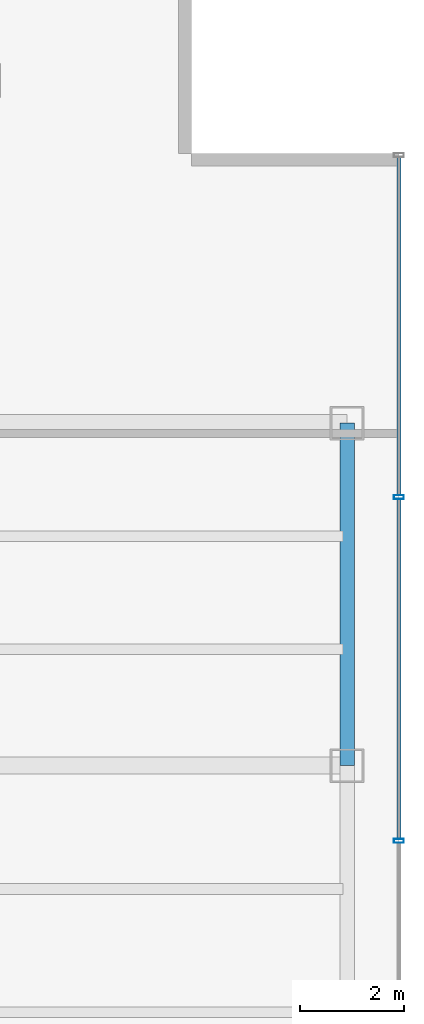
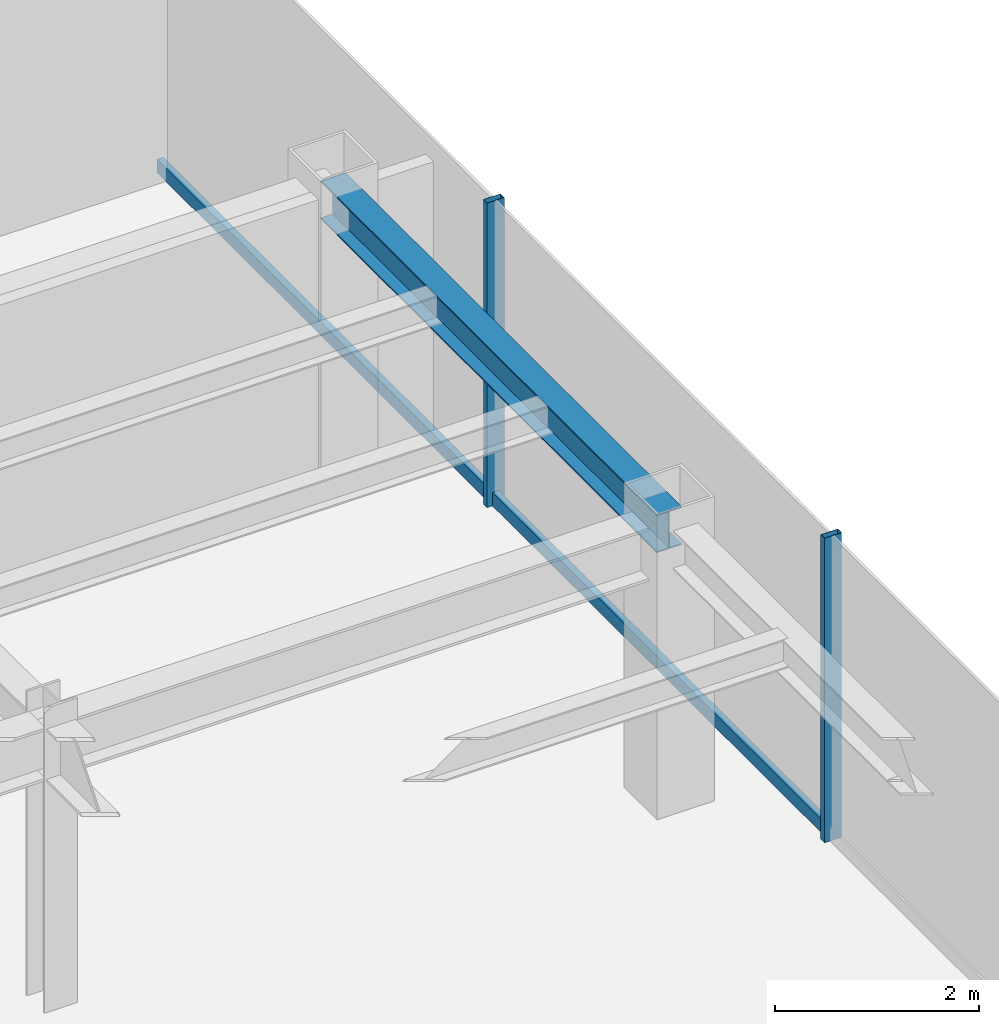
# One storey, part 13 of 25: 4 members, 1 beam, 1 element without a shape of its own.
"""IFC4 building model written with IfcOpenShell, lengths in metres."""

from ifc_helpers import new_model, si_unit, derived_unit, direction, frame, origin, origin_2d, place, context, subcontext, project, spatial, hollow_rectangle, i_section, extrude, source, transform, mapped, material, material_profile, profile_set, type_object, element, aggregate, save


model = new_model("IFC4")

# Units and contexts
model_context = context("Model", 3, precision=1e-05, world=origin(), true_north=direction((0.0, 1.0)))
body_context = subcontext(model_context, "Body", "Model", "MODEL_VIEW")
ifc_project = project(units=[si_unit("LENGTHUNIT", "METRE"), si_unit("AREAUNIT", "SQUARE_METRE"), si_unit("VOLUMEUNIT", "CUBIC_METRE"), si_unit("PLANEANGLEUNIT", "RADIAN"), si_unit("MASSUNIT", "GRAM", prefix="KILO"), derived_unit("THERMALTRANSMITTANCEUNIT", [(si_unit("POWERUNIT", "WATT"), 1), (si_unit("LENGTHUNIT", "METRE"), -2), (si_unit("THERMODYNAMICTEMPERATUREUNIT", "KELVIN"), -1)])], contexts=[model_context])

# Site, building, storey
site_placement = place(None, origin())
site = spatial("IfcSite", under=ifc_project, at=site_placement, CompositionType="ELEMENT")
building_placement = place(site_placement, origin())
building = spatial("IfcBuilding", under=site, at=building_placement, Name="Skarnbrae Concourse Arena and Tower", CompositionType="ELEMENT")
storey_placement = place(building_placement, frame((0.0, 0.0, 173.449951171875)))
storey = spatial("IfcBuildingStorey", under=building, at=storey_placement, Name="L44", CompositionType="ELEMENT", Elevation=173.449951171875)

# Beam
ifc_material_1 = material(Name="Steel CSA G40.21 350W", Category="steel")
ifc_material_profile_1 = material_profile(ifc_material_1, i_section(OverallWidth=0.280029296875, OverallDepth=0.462890625, WebThickness=0.0107421875, FlangeThickness=0.017333984375, at=origin_2d()), Name="W460X113")
ifc_profile_set_1 = profile_set([ifc_material_profile_1], Name="Steel CSA G40.21 350W")
beam_type = type_object("IfcBeamType", Name="BM-SPAN-W460X113", PredefinedType="SPANDREL", material=ifc_profile_set_1)
shared_shape_1 = source(origin(), body_context, "Body", "SweptSolid", [
    extrude(i_section(OverallWidth=0.280029296875, OverallDepth=0.462890625, WebThickness=0.0107421875, FlangeThickness=0.017333984375, at=origin_2d()), origin(), (0.0, 0.0, 1.0), 6.60009765625),
])
beam_placement = place(storey_placement, frame((49.0, 21.199951171875, 3.16845703125), z_axis=(0.0, 1.0, 0.0), x_axis=(-1.0, 0.0, 0.0)))
element("IfcBeam", 1, at=beam_placement, inside=storey, type_object=beam_type, Name="L44 Perimeter spandrel X49.0-3", PredefinedType="SPANDREL", context=body_context, shape_type="MappedRepresentation", body=[
    mapped(shared_shape_1, transform((0.0, 0.0, 0.0))),
])

# Curtain wall, members
ifc_material_2 = material(Name="Bronze anodised aluminium 6063-T6", Category="aluminium")
curtain_wall_type = type_object("IfcCurtainWallType", Name="CW-SYS-04-MIDZONE", PredefinedType="USERDEFINED", material=ifc_material_2)
curtain_wall_placement = place(storey_placement, origin())
curtain_wall = element("IfcCurtainWall", 2, at=curtain_wall_placement, inside=storey, type_object=curtain_wall_type, Name="L44 Unitised curtain wall CW-L44-E04", ObjectType="UNITISED CURTAIN WALL", PredefinedType="USERDEFINED")
ifc_material_profile_2 = material_profile(ifc_material_2, hollow_rectangle(XDim=0.074951171875, YDim=0.195068359375, WallThickness=0.00439453125, at=origin_2d()), Name="ALU-MULL-75X195")
ifc_profile_set_2 = profile_set([ifc_material_profile_2], Name="Bronze anodised aluminium 6063-T6")
member_type_1 = type_object("IfcMemberType", Name="CWM-CW-04", PredefinedType="MULLION", material=ifc_profile_set_2)
shared_shape_2 = source(origin(), body_context, "Body", "SweptSolid", [
    extrude(hollow_rectangle(XDim=0.074951171875, YDim=0.195068359375, WallThickness=0.00439453125, at=origin_2d()), origin(), (0.0, 0.0, 1.0), 3.650146484375),
])
member_1_placement = place(storey_placement, frame((50.0, 19.75, 0.0), z_axis=(0.0, 0.0, 1.0), x_axis=(0.0, 1.0, 0.0)))
member_1 = element("IfcMember", 3, at=member_1_placement, type_object=member_type_1, Name="CW-L44-E04 Mullion 3", PredefinedType="MULLION", context=body_context, shape_type="MappedRepresentation", body=[
    mapped(shared_shape_2, transform((0.0, 0.0, 0.0))),
])
member_2_placement = place(storey_placement, frame((50.0, 26.375, 0.0), z_axis=(0.0, 0.0, 1.0), x_axis=(0.0, 1.0, 0.0)))
member_2 = element("IfcMember", 4, at=member_2_placement, type_object=member_type_1, Name="CW-L44-E04 Mullion 4", PredefinedType="MULLION", context=body_context, shape_type="MappedRepresentation", body=[
    mapped(shared_shape_2, transform((0.0, 0.0, 0.0))),
])
ifc_material_profile_3 = material_profile(ifc_material_2, hollow_rectangle(XDim=0.074951171875, YDim=0.159912109375, WallThickness=0.00439453125, at=origin_2d()), Name="ALU-TRAN-75X160")
ifc_profile_set_3 = profile_set([ifc_material_profile_3], Name="Bronze anodised aluminium 6063-T6")
member_type_2 = type_object("IfcMemberType", Name="CWT-CW-04", PredefinedType="USERDEFINED", material=ifc_profile_set_3)
shared_shape_3 = source(origin(), body_context, "Body", "SweptSolid", [
    extrude(hollow_rectangle(XDim=0.074951171875, YDim=0.159912109375, WallThickness=0.00439453125, at=origin_2d()), origin(), (0.0, 0.0, 1.0), 6.512451171875),
])
member_3_placement = place(storey_placement, frame((50.0, 26.41259765625, 0.080078125), z_axis=(0.0, 1.0, 0.0), x_axis=(-1.0, 0.0, 0.0)))
member_3 = element("IfcMember", 5, at=member_3_placement, type_object=member_type_2, Name="CW-L44-E04 Transom 4", ObjectType="TRANSOM", PredefinedType="USERDEFINED", context=body_context, shape_type="MappedRepresentation", body=[
    mapped(shared_shape_3, transform((0.0, 0.0, 0.0))),
])
shared_shape_4 = source(origin(), body_context, "Body", "SweptSolid", [
    extrude(hollow_rectangle(XDim=0.074951171875, YDim=0.159912109375, WallThickness=0.00439453125, at=origin_2d()), origin(), (0.0, 0.0, 1.0), 6.5498046875),
])
member_4_placement = place(storey_placement, frame((50.0, 19.78759765625, 0.080078125), z_axis=(0.0, 1.0, 0.0), x_axis=(-1.0, 0.0, 0.0)))
member_4 = element("IfcMember", 6, at=member_4_placement, type_object=member_type_2, Name="CW-L44-E04 Transom 3", ObjectType="TRANSOM", PredefinedType="USERDEFINED", context=body_context, shape_type="MappedRepresentation", body=[
    mapped(shared_shape_4, transform((0.0, 0.0, 0.0))),
])
aggregate(curtain_wall, [member_1, member_2, member_4, member_3])

save(model, "model.ifc")
